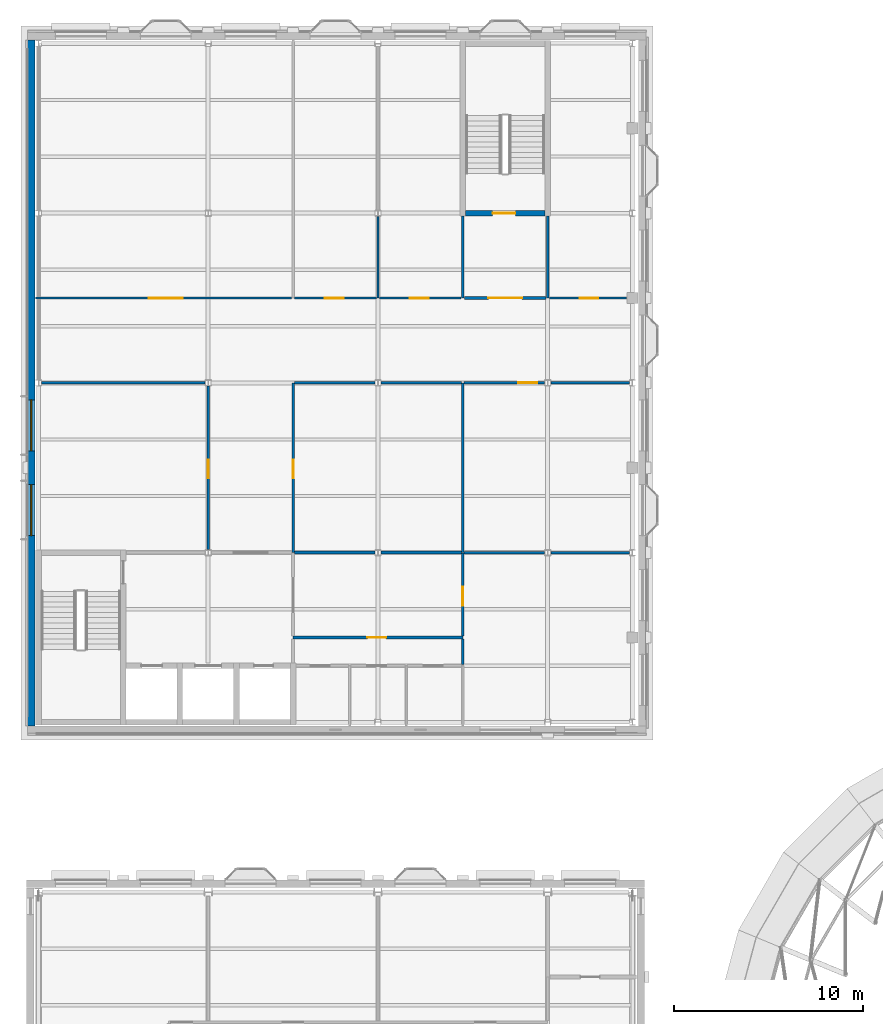
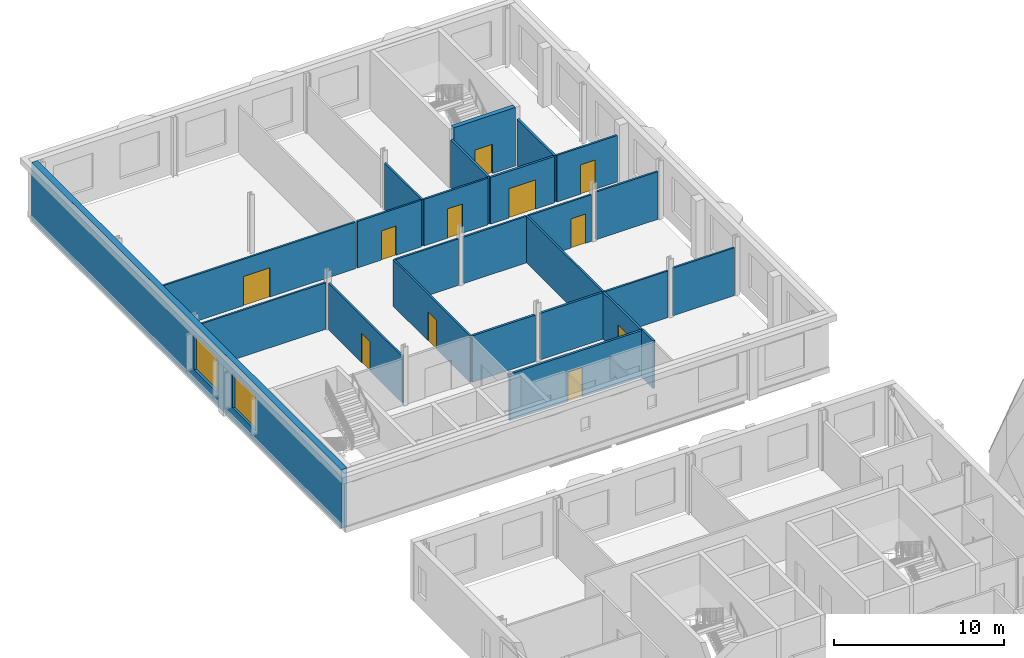
# One storey, part 36 of 62: 25 walls, 11 doors, 2 windows, 13 openings.
"""IFC4 building model written with IfcOpenShell, lengths in metres."""

import ifcopenshell
import ifcopenshell.guid

model = None  # the IFC model being written
_history = None  # IfcOwnerHistory: only IFC2X3 demands one
_inside = {}  # id of a spatial element -> (the spatial element, [elements in it])
_under = {}  # id of a project, library or spatial element -> (it, [spatial elements below it])
_declared = {}  # id of a project -> (the project, [libraries it declares])
_typed = {}  # id of a type object -> (the type object, [elements of that type])
_made_of = {}  # id of a material, layer set ... -> (it, [elements and type objects made of it])


def new_model(schema):
    """Start an empty IFC model of exactly this schema.

    Asked for "IFC4X3", IfcOpenShell would pick the latest addendum, in which some entities
    have other attributes; the version numbers below select the first issue.
    IFC2X3 requires an IfcOwnerHistory on every rooted entity: one is made here for all.
    """
    global model, _history
    if schema == "IFC4X3":
        model = ifcopenshell.file(schema_version=(4, 3, 0, 0))
    else:
        model = ifcopenshell.file(schema=schema)
    _inside.clear()
    _under.clear()
    _declared.clear()
    _typed.clear()
    _made_of.clear()
    _history = None
    if model.schema == "IFC2X3":
        org = make("IfcOrganization", Name="unknown")
        user = make(
            "IfcPersonAndOrganization",
            ThePerson=make("IfcPerson", FamilyName="unknown"),
            TheOrganization=org,
        )
        app = make(
            "IfcApplication",
            ApplicationDeveloper=org,
            Version="unknown",
            ApplicationFullName="unknown",
            ApplicationIdentifier="unknown",
        )
        _history = make(
            "IfcOwnerHistory",
            OwningUser=user,
            OwningApplication=app,
            ChangeAction="ADDED",
            CreationDate=0,
        )
    return model


def make(cls, **values):
    """One entity of the class cls with the attributes given. An attribute that is None is left unset."""
    return model.create_entity(
        cls, **{name: value for name, value in values.items() if value is not None}
    )


def rooted(cls, **values):
    """An entity with a GlobalId (a new one), such as an element, a storey or a relation."""
    return make(cls, GlobalId=ifcopenshell.guid.new(), OwnerHistory=_history, **values)


def si_unit(unit_type, name, prefix=None):
    """IfcSIUnit, for example si_unit("LENGTHUNIT", "METRE", prefix="MILLI")."""
    return make("IfcSIUnit", UnitType=unit_type, Prefix=prefix, Name=name)


def assignment(units):
    """IfcUnitAssignment: the units of a project."""
    return None if units is None else make("IfcUnitAssignment", Units=units)


def point(xyz):
    """IfcCartesianPoint."""
    return None if xyz is None else make("IfcCartesianPoint", Coordinates=xyz)


def direction(xyz):
    """IfcDirection."""
    return None if xyz is None else make("IfcDirection", DirectionRatios=xyz)


def frame(location, z_axis=None, x_axis=None):
    """IfcAxis2Placement3D, a coordinate frame: its origin and axes. An axis left out is left unset."""
    return make(
        "IfcAxis2Placement3D",
        Location=point(location),
        Axis=direction(z_axis),
        RefDirection=direction(x_axis),
    )


def frame_2d(location, x_axis=None):
    """IfcAxis2Placement2D, a coordinate frame in the plane: its origin and x axis."""
    return make(
        "IfcAxis2Placement2D", Location=point(location), RefDirection=direction(x_axis)
    )


def origin():
    """The frame at (0, 0, 0) with its axes left unset."""
    return frame((0.0, 0.0, 0.0))


def place(relative_to, where):
    """IfcLocalPlacement: puts the frame where relative to a parent placement (None: the world)."""
    return make(
        "IfcLocalPlacement", PlacementRelTo=relative_to, RelativePlacement=where
    )


def context(
    kind, dimensions, precision=None, world=None, true_north=None, identifier=None
):
    """IfcGeometricRepresentationContext, for example the 3D "Model" context."""
    return make(
        "IfcGeometricRepresentationContext",
        ContextIdentifier=identifier,
        ContextType=kind,
        CoordinateSpaceDimension=dimensions,
        Precision=precision,
        WorldCoordinateSystem=world,
        TrueNorth=true_north,
    )


def subcontext(parent, identifier, kind, view, scale=None):
    """IfcGeometricRepresentationSubContext, for example "Body" below "Model"."""
    return make(
        "IfcGeometricRepresentationSubContext",
        ContextIdentifier=identifier,
        ContextType=kind,
        ParentContext=parent,
        TargetScale=scale,
        TargetView=view,
    )


def project(units=None, contexts=None):
    """IfcProject with its units and contexts."""
    return rooted(
        "IfcProject",
        Name="project",
        RepresentationContexts=contexts,
        UnitsInContext=assignment(units),
    )


def spatial(cls, under=None, at=None, **own):
    """A site, building, storey or space (cls), placed at a placement, below another one or the project."""
    s = rooted(cls, ObjectPlacement=at, **own)
    if under is not None:
        _under.setdefault(under.id(), (under, []))[1].append(s)
    return s


def profile(cls, at=None, kind="AREA", **sizes):
    """A parametric profile (cls). Its sizes go by their IFC names, for example OverallWidth=200.0."""
    return make(cls, ProfileType=kind, Position=at, **sizes)


def rectangle(**sizes):
    """IfcRectangleProfileDef."""
    return profile("IfcRectangleProfileDef", **sizes)


def extrude(swept, where, along, depth):
    """IfcExtrudedAreaSolid: the profile swept, set in the frame where, extruded along a direction by depth."""
    return make(
        "IfcExtrudedAreaSolid",
        SweptArea=swept,
        Position=where,
        ExtrudedDirection=direction(along),
        Depth=depth,
    )


def shape(context_of_items, identifier, shape_type, items):
    """IfcShapeRepresentation: the items that make up one representation, for example the "Body"."""
    return make(
        "IfcShapeRepresentation",
        ContextOfItems=context_of_items,
        RepresentationIdentifier=identifier,
        RepresentationType=shape_type,
        Items=items,
    )


def material(Name=None, Category=None):
    """IfcMaterial."""
    return make("IfcMaterial", Name=Name, Category=Category)


def layer(
    of_material, thickness, ventilated=None, Name=None, Category=None, Priority=None
):
    """IfcMaterialLayer: one layer of a wall or slab, of a material (None: an air gap)."""
    return make(
        "IfcMaterialLayer",
        Material=of_material,
        LayerThickness=thickness,
        IsVentilated=ventilated,
        Name=Name,
        Category=Category,
        Priority=Priority,
    )


def layer_set(layers, Name=None):
    """IfcMaterialLayerSet."""
    return make("IfcMaterialLayerSet", MaterialLayers=layers, LayerSetName=Name)


def made_of(thing, what):
    """Note that an element or type object is made of a material, layer set ...; save() writes the relation."""
    if what is not None:
        _made_of.setdefault(what.id(), (what, []))[1].append(thing)
    return thing


def type_object(cls, material=None, **own):
    """A type object (cls), such as IfcWallType, which elements share."""
    return made_of(rooted(cls, **own), material)


def element(
    cls,
    number,
    at=None,
    inside=None,
    cuts=None,
    type_object=None,
    material=None,
    context=None,
    identifier="Body",
    shape_type=None,
    held_by="IfcProductDefinitionShape",
    body=None,
    shapes=None,
    **own,
):
    """One element of the class cls, such as IfcWall. Its Tag is "e" and its number.

    at: its placement. inside: the storey or other place that contains it. cuts: it is an
    opening in that element (IfcRelVoidsElement). A single representation is given by context,
    identifier, shape_type and body (its items); several are given by shapes. held_by: the class
    of the entity that holds the representations. save() writes the other relations.
    """
    e = rooted(cls, Tag="e%d" % number, ObjectPlacement=at, **own)
    if body is not None:
        shapes = [shape(context, identifier, shape_type, body)]
    if shapes is not None:
        e.Representation = make(held_by, Representations=shapes)
    if inside is not None:
        _inside.setdefault(inside.id(), (inside, []))[1].append(e)
    if cuts is not None:
        rooted(
            "IfcRelVoidsElement", RelatingBuildingElement=cuts, RelatedOpeningElement=e
        )
    if type_object is not None:
        _typed.setdefault(type_object.id(), (type_object, []))[1].append(e)
    return made_of(e, material)


def fill(opening, filler):
    """IfcRelFillsElement: the door or window that sits in an opening."""
    return rooted(
        "IfcRelFillsElement",
        RelatingOpeningElement=opening,
        RelatedBuildingElement=filler,
    )


def aggregate(whole, parts):
    """IfcRelAggregates: a whole, such as a stair, and the parts it consists of."""
    return rooted("IfcRelAggregates", RelatingObject=whole, RelatedObjects=parts)


def save(model, path):
    """Write the relations noted so far, then the file.

    IfcRelAggregates (storeys below a building ...), IfcRelContainedInSpatialStructure (elements
    in a storey), IfcRelDefinesByType, IfcRelAssociatesMaterial and IfcRelDeclares: one each for
    every whole, place, type object, material and project.
    """
    for whole, parts in _under.values():
        aggregate(whole, parts)
    for where, things in _inside.values():
        rooted(
            "IfcRelContainedInSpatialStructure",
            RelatedElements=things,
            RelatingStructure=where,
        )
    for kind, things in _typed.values():
        rooted("IfcRelDefinesByType", RelatedObjects=things, RelatingType=kind)
    for what, things in _made_of.values():
        rooted("IfcRelAssociatesMaterial", RelatedObjects=things, RelatingMaterial=what)
    for by, libraries in _declared.values():
        rooted("IfcRelDeclares", RelatingContext=by, RelatedDefinitions=libraries)
    model.write(path)


model = new_model("IFC4")

# Units and contexts
model_context = context("Model", 3, precision=1e-05, world=origin(), true_north=direction((0.0, 1.0)))
body_context = subcontext(model_context, "Body", "Model", "MODEL_VIEW")
ifc_project = project(units=[si_unit("LENGTHUNIT", "METRE"), si_unit("AREAUNIT", "SQUARE_METRE"), si_unit("VOLUMEUNIT", "CUBIC_METRE"), si_unit("PLANEANGLEUNIT", "RADIAN"), si_unit("MASSUNIT", "GRAM", prefix="KILO")], contexts=[model_context])

# Site, building, storey
site_placement = place(None, origin())
site = spatial("IfcSite", under=ifc_project, at=site_placement, CompositionType="ELEMENT")
building_placement = place(site_placement, origin())
building = spatial("IfcBuilding", under=site, at=building_placement, Name="Hortulan Conservatory and Botanical Research Centre", CompositionType="ELEMENT")
storey_placement = place(building_placement, frame((0.0, 0.0, 15.0)))
storey = spatial("IfcBuildingStorey", under=building, at=storey_placement, Name="L03", CompositionType="ELEMENT", Elevation=15.0)

# Wall, opening, door
ifc_material_1 = material(Name="Concrete N40 (40 MPa, AS 3600)", Category="concrete")
ifc_layer_1 = layer(ifc_material_1, 0.300048828125)
ifc_layer_set_1 = layer_set([ifc_layer_1], Name="Core Wall 300 N40 FRL 180/120/120")
wall_type_1 = type_object("IfcWallType", Name="Core Wall 300 N40 FRL 180/120/120", PredefinedType="SHEAR", material=ifc_layer_set_1)
wall_1_placement = place(storey_placement, frame((22.64990234375, 63.0, 0.0), z_axis=(0.0, 0.0, 1.0), x_axis=(1.0, 0.0, 0.0)))
wall_1 = element("IfcWall", 1, at=wall_1_placement, inside=storey, type_object=wall_type_1, Name="Reinforced concrete shaft wall", PredefinedType="SHEAR", context=body_context, shape_type="SweptSolid", body=[
    extrude(rectangle(XDim=4.2001953125, YDim=0.300048828125, at=frame_2d((2.10009765625, 0.0))), origin(), (0.0, 0.0, 1.0), 4.199951171875),
])
opening_1_placement = place(wall_1_placement, frame((1.436767578125, 0.0, 0.0)))
opening_1 = element("IfcOpeningElement", 2, at=opening_1_placement, cuts=wall_1, Name="Opening DT5", PredefinedType="OPENING", context=body_context, shape_type="SweptSolid", body=[
    extrude(rectangle(XDim=1.199951171875, YDim=2.10009765625, at=frame_2d((0.60009765625, 1.050048828125))), frame((0.0, 0.159912109375, 0.0), z_axis=(0.0, -1.0, 0.0), x_axis=(1.0, 0.0, 0.0)), (0.0, 0.0, 1.0), 0.320068359375),
])
ifc_material_2 = material(Name="Steel door leaf, insulated", Category="steel")
door_type_1 = type_object("IfcDoorType", Name="Stair Door 1200x2100 FRL -/120/30", OperationType="NOTDEFINED", PredefinedType="DOOR", material=ifc_material_2)
door_1_placement = place(opening_1_placement, origin())
door_1 = element("IfcDoor", 3, at=door_1_placement, inside=storey, type_object=door_type_1, Name="Door DT5 Exit Stair V2 to Stair Lobby V2", OperationType="SINGLE_SWING_LEFT", OverallHeight=2.10009765625, OverallWidth=1.199951171875, PredefinedType="DOOR", context=body_context, shape_type="SweptSolid", body=[
    extrude(rectangle(XDim=1.199951171875, YDim=2.10009765625, at=frame_2d((0.60009765625, 1.050048828125))), frame((0.0, 0.02490234375, 0.0), z_axis=(0.0, -1.0, 0.0), x_axis=(1.0, 0.0, 0.0)), (0.0, 0.0, 1.0), 0.050048828125),
])
fill(opening_1, door_1)

ifc_material_3 = material(Name="Plasterboard on steel studs", Category="steel")
ifc_layer_2 = layer(ifc_material_3, 0.14990234375)
ifc_layer_set_2 = layer_set([ifc_layer_2], Name="Corridor Partition 150")
wall_type_2 = type_object("IfcWallType", Name="Corridor Partition 150", PredefinedType="PARTITIONING", material=ifc_layer_set_2)
wall_2_placement = place(storey_placement, frame((22.5, 40.5849609375, 0.0), z_axis=(0.0, 0.0, 1.0), x_axis=(0.0, 1.0, 0.0)))
wall_2 = element("IfcWall", 4, at=wall_2_placement, inside=storey, type_object=wall_type_2, Name="Partition Community Foyer and Visitor Services Office 1 L03", PredefinedType="PARTITIONING", context=body_context, shape_type="SweptSolid", body=[
    extrude(rectangle(XDim=4.405029296875, YDim=0.14990234375, at=frame_2d((2.20263671875, 0.0))), origin(), (0.0, 0.0, 1.0), 3.337890625),
])
opening_2_placement = place(wall_2_placement, frame((1.60302734375, 0.0, 0.0)))
opening_2 = element("IfcOpeningElement", 5, at=opening_2_placement, cuts=wall_2, Name="Opening DT1", PredefinedType="OPENING", context=body_context, shape_type="SweptSolid", body=[
    extrude(rectangle(XDim=1.0, YDim=2.10009765625, at=frame_2d((0.5, 1.050048828125))), frame((0.0, 0.0849609375, 0.0), z_axis=(0.0, -1.0, 0.0), x_axis=(1.0, 0.0, 0.0)), (0.0, 0.0, 1.0), 0.169921875),
])
ifc_material_4 = material(Name="Timber door leaf in timber frame", Category="wood")
door_type_2 = type_object("IfcDoorType", Name="Single Door 1000x2100", OperationType="NOTDEFINED", PredefinedType="DOOR", material=ifc_material_4)
door_2_placement = place(opening_2_placement, frame((1.0, 0.0, 0.0), z_axis=(0.0, 0.0, 1.0), x_axis=(-1.0, 0.0, 0.0)))
door_2 = element("IfcDoor", 6, at=door_2_placement, inside=storey, type_object=door_type_2, Name="Door DT1 Visitor Services Office 1 to Community Foyer", OperationType="SINGLE_SWING_RIGHT", OverallHeight=2.10009765625, OverallWidth=1.0, PredefinedType="DOOR", context=body_context, shape_type="SweptSolid", body=[
    extrude(rectangle(XDim=1.0, YDim=2.10009765625, at=frame_2d((0.5, 1.050048828125))), frame((0.0, 0.02490234375, 0.0), z_axis=(0.0, -1.0, 0.0), x_axis=(1.0, 0.0, 0.0)), (0.0, 0.0, 1.0), 0.050048828125),
])
fill(opening_2, door_2)

# Walls
for number, where, z_axis, x_axis, name in (
    (7, (13.574951171875, 45.0, 0.0), (0.0, 0.0, 1.0), (1.0, 0.0, 0.0), "Partition Community Foyer and Community Room 2 L03"),
    (8, (18.16357421875, 45.0, 0.0), (0.0, 0.0, 1.0), (1.0, 0.0, 0.0), "Partition Community Foyer and Community Room 2 L03"),
):
    element("IfcWall", number, at=place(storey_placement, frame(where, z_axis=z_axis, x_axis=x_axis)), inside=storey, type_object=wall_type_2, Name=name, PredefinedType="PARTITIONING", context=body_context, shape_type="SweptSolid", body=[
        extrude(rectangle(XDim=4.261474609375, YDim=0.14990234375, at=frame_2d((2.130859375, 0.0))), origin(), (0.0, 0.0, 1.0), 3.337890625),
    ])

# Wall, openings, windows
ifc_material_5 = material(Name="Faience-faced brickwork masonry", Category="masonry")
ifc_layer_3 = layer(ifc_material_5, 0.39990234375)
ifc_layer_set_3 = layer_set([ifc_layer_3], Name="Faience-faced Masonry Cavity Wall 400")
wall_type_3 = type_object("IfcWallType", Name="Faience-faced Masonry Cavity Wall 400", PredefinedType="STANDARD", material=ifc_layer_set_3)
wall_3_placement = place(storey_placement, frame((-0.37939453125, 35.820556640625, 0.0), z_axis=(0.0, 0.0, 1.0), x_axis=(0.0, 1.0, 0.0)))
wall_3 = element("IfcWall", 9, at=wall_3_placement, inside=storey, type_object=wall_type_3, Name="E-EW-VC-L03-W2", PredefinedType="STANDARD", context=body_context, shape_type="SweptSolid", body=[
    extrude(rectangle(XDim=36.35888671875, YDim=0.39990234375, at=frame_2d((18.179443359375, 0.0))), origin(), (0.0, 0.0, 1.0), 4.199951171875),
])
opening_3_placement = place(wall_3_placement, frame((10.07958984375, 0.0, 0.89990234375)))
opening_3 = element("IfcOpeningElement", 10, at=opening_3_placement, cuts=wall_3, Name="Opening W4", PredefinedType="OPENING", context=body_context, shape_type="SweptSolid", body=[
    extrude(rectangle(XDim=2.699951171875, YDim=2.5, at=frame_2d((1.35009765625, 1.25))), frame((0.0, 0.2099609375, 0.0), z_axis=(0.0, -1.0, 0.0), x_axis=(1.0, 0.0, 0.0)), (0.0, 0.0, 1.0), 0.419921875),
])
opening_4_placement = place(wall_3_placement, frame((14.57958984375, 0.0, 0.89990234375)))
opening_4 = element("IfcOpeningElement", 11, at=opening_4_placement, cuts=wall_3, Name="Opening W4", PredefinedType="OPENING", context=body_context, shape_type="SweptSolid", body=[
    extrude(rectangle(XDim=2.699951171875, YDim=2.5, at=frame_2d((1.35009765625, 1.25))), frame((0.0, 0.2099609375, 0.0), z_axis=(0.0, -1.0, 0.0), x_axis=(1.0, 0.0, 0.0)), (0.0, 0.0, 1.0), 0.419921875),
])
ifc_material_6 = material(Name="Bronze-finished aluminium frame with low-e laminated double glazing", Category="aluminium")
window_type = type_object("IfcWindowType", Name="Faience Window 2700x2500", PartitioningType="SINGLE_PANEL", PredefinedType="WINDOW", material=ifc_material_6)
window_1_placement = place(opening_3_placement, origin())
window_1 = element("IfcWindow", 12, at=window_1_placement, inside=storey, type_object=window_type, Name="Faience window", OverallHeight=2.5, OverallWidth=2.699951171875, PartitioningType="SINGLE_PANEL", PredefinedType="WINDOW", context=body_context, shape_type="SweptSolid", body=[
    extrude(rectangle(XDim=2.699951171875, YDim=2.5, at=frame_2d((1.35009765625, 1.25))), frame((0.0, 0.030029296875, 0.0), z_axis=(0.0, -1.0, 0.0), x_axis=(1.0, 0.0, 0.0)), (0.0, 0.0, 1.0), 0.06005859375),
])
fill(opening_3, window_1)
window_2_placement = place(opening_4_placement, origin())
window_2 = element("IfcWindow", 13, at=window_2_placement, inside=storey, type_object=window_type, Name="Faience window", OverallHeight=2.5, OverallWidth=2.699951171875, PartitioningType="SINGLE_PANEL", PredefinedType="WINDOW", context=body_context, shape_type="SweptSolid", body=[
    extrude(rectangle(XDim=2.699951171875, YDim=2.5, at=frame_2d((1.35009765625, 1.25))), frame((0.0, 0.030029296875, 0.0), z_axis=(0.0, -1.0, 0.0), x_axis=(1.0, 0.0, 0.0)), (0.0, 0.0, 1.0), 0.06005859375),
])
fill(opening_4, window_2)

# Walls
ifc_material_7 = material(Name="Fire-rated plasterboard on steel studs", Category="steel")
ifc_layer_4 = layer(ifc_material_7, 0.14990234375)
ifc_layer_set_4 = layer_set([ifc_layer_4], Name="Lobby Partition 150")
wall_type_4 = type_object("IfcWallType", Name="Lobby Partition 150", PredefinedType="PARTITIONING", material=ifc_layer_set_4)
wall_4_placement = place(storey_placement, frame((22.5, 39.074951171875, 0.0), z_axis=(0.0, 0.0, 1.0), x_axis=(0.0, 1.0, 0.0)))
element("IfcWall", 14, at=wall_4_placement, inside=storey, type_object=wall_type_4, Name="Partition WC Lobby and Visitor Services Office 1 L03", PredefinedType="PARTITIONING", context=body_context, shape_type="SweptSolid", body=[
    extrude(rectangle(XDim=1.340087890625, YDim=0.14990234375, at=frame_2d((0.669921875, 0.0))), origin(), (0.0, 0.0, 1.0), 3.422119140625),
])
wall_5_placement = place(storey_placement, frame((22.5, 58.5, 0.0), z_axis=(0.0, 0.0, 1.0), x_axis=(0.0, 1.0, 0.0)))
element("IfcWall", 15, at=wall_5_placement, inside=storey, type_object=wall_type_4, Name="Partition Stair Lobby V2 and Visitor Services Office 3 L03", PredefinedType="PARTITIONING", context=body_context, shape_type="SweptSolid", body=[
    extrude(rectangle(XDim=4.340087890625, YDim=0.14990234375, at=frame_2d((2.169921875, 0.0))), origin(), (0.0, 0.0, 1.0), 3.422119140625),
])
wall_6_placement = place(storey_placement, frame((27.0, 58.5, 0.0), z_axis=(0.0, 0.0, 1.0), x_axis=(0.0, 1.0, 0.0)))
element("IfcWall", 16, at=wall_6_placement, inside=storey, type_object=wall_type_4, Name="Partition Stair Lobby V2 and Visitor Services Office 4 L03", PredefinedType="PARTITIONING", context=body_context, shape_type="SweptSolid", body=[
    extrude(rectangle(XDim=4.340087890625, YDim=0.14990234375, at=frame_2d((2.169921875, 0.0))), origin(), (0.0, 0.0, 1.0), 3.337890625),
])

# Wall, opening, door
wall_7_placement = place(storey_placement, frame((13.5, 40.5, 0.0), z_axis=(0.0, 0.0, 1.0), x_axis=(1.0, 0.0, 0.0)))
wall_7 = element("IfcWall", 17, at=wall_7_placement, inside=storey, type_object=wall_type_4, Name="Partition WC Lobby and Community Foyer L03", PredefinedType="PARTITIONING", context=body_context, shape_type="SweptSolid", body=[
    extrude(rectangle(XDim=9.0, YDim=0.14990234375, at=frame_2d((4.5, 0.0))), origin(), (0.0, 0.0, 1.0), 3.337890625),
])
opening_5_placement = place(wall_7_placement, frame((3.937744140625, 0.0, 0.0)))
opening_5 = element("IfcOpeningElement", 18, at=opening_5_placement, cuts=wall_7, Name="Opening DT4", PredefinedType="OPENING", context=body_context, shape_type="SweptSolid", body=[
    extrude(rectangle(XDim=1.0, YDim=2.10009765625, at=frame_2d((0.5, 1.050048828125))), frame((0.0, 0.0849609375, 0.0), z_axis=(0.0, -1.0, 0.0), x_axis=(1.0, 0.0, 0.0)), (0.0, 0.0, 1.0), 0.169921875),
])
door_type_3 = type_object("IfcDoorType", Name="Fire Door 1000x2100 FRL -/60/30", OperationType="NOTDEFINED", PredefinedType="DOOR", material=ifc_material_2)
door_3_placement = place(opening_5_placement, origin())
door_3 = element("IfcDoor", 19, at=door_3_placement, inside=storey, type_object=door_type_3, Name="Door DT4 WC Lobby to Community Foyer", OperationType="SINGLE_SWING_LEFT", OverallHeight=2.10009765625, OverallWidth=1.0, PredefinedType="DOOR", context=body_context, shape_type="SweptSolid", body=[
    extrude(rectangle(XDim=1.0, YDim=2.10009765625, at=frame_2d((0.5, 1.050048828125))), frame((0.0, 0.02490234375, 0.0), z_axis=(0.0, -1.0, 0.0), x_axis=(1.0, 0.0, 0.0)), (0.0, 0.0, 1.0), 0.050048828125),
])
fill(opening_5, door_3)

wall_8_placement = place(storey_placement, frame((22.5849609375, 58.5, 0.0), z_axis=(0.0, 0.0, 1.0), x_axis=(1.0, 0.0, 0.0)))
wall_8 = element("IfcWall", 20, at=wall_8_placement, inside=storey, type_object=wall_type_4, Name="Partition Corridor and Stair Lobby V2 L03", PredefinedType="PARTITIONING", context=body_context, shape_type="SweptSolid", body=[
    extrude(rectangle(XDim=4.330078125, YDim=0.14990234375, at=frame_2d((2.1650390625, 0.0))), origin(), (0.0, 0.0, 1.0), 3.337890625),
])
opening_6_placement = place(wall_8_placement, frame((1.264892578125, 0.0, 0.0)))
opening_6 = element("IfcOpeningElement", 21, at=opening_6_placement, cuts=wall_8, Name="Opening DT8", PredefinedType="OPENING", context=body_context, shape_type="SweptSolid", body=[
    extrude(rectangle(XDim=1.800048828125, YDim=2.10009765625, at=frame_2d((0.89990234375, 1.050048828125))), frame((0.0, 0.0849609375, 0.0), z_axis=(0.0, -1.0, 0.0), x_axis=(1.0, 0.0, 0.0)), (0.0, 0.0, 1.0), 0.169921875),
])
door_type_4 = type_object("IfcDoorType", Name="Lobby Double Door 1800x2100 FRL -/60/30", OperationType="DOUBLE_DOOR_SINGLE_SWING", PredefinedType="DOOR", material=ifc_material_2)
door_4_placement = place(opening_6_placement, frame((1.800048828125, 0.0, 0.0), z_axis=(0.0, 0.0, 1.0), x_axis=(-1.0, 0.0, 0.0)))
door_4 = element("IfcDoor", 22, at=door_4_placement, inside=storey, type_object=door_type_4, Name="Door DT8 Stair Lobby V2 to Corridor", OperationType="DOUBLE_DOOR_SINGLE_SWING", OverallHeight=2.10009765625, OverallWidth=1.800048828125, PredefinedType="DOOR", context=body_context, shape_type="SweptSolid", body=[
    extrude(rectangle(XDim=1.800048828125, YDim=2.10009765625, at=frame_2d((0.89990234375, 1.050048828125))), frame((0.0, 0.02490234375, 0.0), z_axis=(0.0, -1.0, 0.0), x_axis=(1.0, 0.0, 0.0)), (0.0, 0.0, 1.0), 0.050048828125),
])
fill(opening_6, door_4)

ifc_layer_5 = layer(ifc_material_3, 0.125)
ifc_layer_set_5 = layer_set([ifc_layer_5], Name="Partition 125")
wall_type_5 = type_object("IfcWallType", Name="Partition 125", PredefinedType="PARTITIONING", material=ifc_layer_set_5)
wall_9_placement = place(storey_placement, frame((9.0, 45.16748046875, 0.0), z_axis=(0.0, 0.0, 1.0), x_axis=(0.0, 1.0, 0.0)))
wall_9 = element("IfcWall", 23, at=wall_9_placement, inside=storey, type_object=wall_type_5, Name="Partition Corridor West and Community Room 1 L03", PredefinedType="PARTITIONING", context=body_context, shape_type="SweptSolid", body=[
    extrude(rectangle(XDim=8.6650390625, YDim=0.125, at=frame_2d((4.33251953125, 0.0))), origin(), (0.0, 0.0, 1.0), 3.337890625),
])
opening_7_placement = place(wall_9_placement, frame((3.770263671875, 0.0, 0.0)))
opening_7 = element("IfcOpeningElement", 24, at=opening_7_placement, cuts=wall_9, Name="Opening DT1", PredefinedType="OPENING", context=body_context, shape_type="SweptSolid", body=[
    extrude(rectangle(XDim=1.0, YDim=2.10009765625, at=frame_2d((0.5, 1.050048828125))), frame((0.0, 0.072509765625, 0.0), z_axis=(0.0, -1.0, 0.0), x_axis=(1.0, 0.0, 0.0)), (0.0, 0.0, 1.0), 0.14501953125),
])
door_5_placement = place(opening_7_placement, origin())
door_5 = element("IfcDoor", 25, at=door_5_placement, inside=storey, type_object=door_type_2, Name="Door DT1 Community Room 1 to Corridor West", OperationType="SINGLE_SWING_LEFT", OverallHeight=2.10009765625, OverallWidth=1.0, PredefinedType="DOOR", context=body_context, shape_type="SweptSolid", body=[
    extrude(rectangle(XDim=1.0, YDim=2.10009765625, at=frame_2d((0.5, 1.050048828125))), frame((0.0, 0.02490234375, 0.0), z_axis=(0.0, -1.0, 0.0), x_axis=(1.0, 0.0, 0.0)), (0.0, 0.0, 1.0), 0.050048828125),
])
fill(opening_7, door_5)

wall_10_placement = place(storey_placement, frame((13.5, 45.0, 0.0), z_axis=(0.0, 0.0, 1.0), x_axis=(0.0, 1.0, 0.0)))
wall_10 = element("IfcWall", 26, at=wall_10_placement, inside=storey, type_object=wall_type_5, Name="Partition Corridor West and Community Room 2 L03", PredefinedType="PARTITIONING", context=body_context, shape_type="SweptSolid", body=[
    extrude(rectangle(XDim=9.0, YDim=0.125, at=frame_2d((4.5, 0.0))), origin(), (0.0, 0.0, 1.0), 3.337890625),
])
opening_8_placement = place(wall_10_placement, frame((3.937744140625, 0.0, 0.0)))
opening_8 = element("IfcOpeningElement", 27, at=opening_8_placement, cuts=wall_10, Name="Opening DT1", PredefinedType="OPENING", context=body_context, shape_type="SweptSolid", body=[
    extrude(rectangle(XDim=1.0, YDim=2.10009765625, at=frame_2d((0.5, 1.050048828125))), frame((0.0, 0.072509765625, 0.0), z_axis=(0.0, -1.0, 0.0), x_axis=(1.0, 0.0, 0.0)), (0.0, 0.0, 1.0), 0.14501953125),
])
door_6_placement = place(opening_8_placement, frame((1.0, 0.0, 0.0), z_axis=(0.0, 0.0, 1.0), x_axis=(-1.0, 0.0, 0.0)))
door_6 = element("IfcDoor", 28, at=door_6_placement, inside=storey, type_object=door_type_2, Name="Door DT1 Community Room 2 to Corridor West", OperationType="SINGLE_SWING_RIGHT", OverallHeight=2.10009765625, OverallWidth=1.0, PredefinedType="DOOR", context=body_context, shape_type="SweptSolid", body=[
    extrude(rectangle(XDim=1.0, YDim=2.10009765625, at=frame_2d((0.5, 1.050048828125))), frame((0.0, 0.02490234375, 0.0), z_axis=(0.0, -1.0, 0.0), x_axis=(1.0, 0.0, 0.0)), (0.0, 0.0, 1.0), 0.050048828125),
])
fill(opening_8, door_6)

# Walls
wall_11_placement = place(storey_placement, frame((18.0, 58.5, 0.0), z_axis=(0.0, 0.0, 1.0), x_axis=(0.0, 1.0, 0.0)))
element("IfcWall", 29, at=wall_11_placement, inside=storey, type_object=wall_type_5, Name="Partition Visitor Services Office 2 and Visitor Services Office 3 L03", PredefinedType="PARTITIONING", context=body_context, shape_type="SweptSolid", body=[
    extrude(rectangle(XDim=4.33251953125, YDim=0.125, at=frame_2d((2.166259765625, 0.0))), origin(), (0.0, 0.0, 1.0), 3.337890625),
])
wall_12_placement = place(storey_placement, frame((22.5, 45.0, 0.0), z_axis=(0.0, 0.0, 1.0), x_axis=(0.0, 1.0, 0.0)))
element("IfcWall", 30, at=wall_12_placement, inside=storey, type_object=wall_type_5, Name="Partition Community Room 2 and Community Room 3 L03", PredefinedType="PARTITIONING", context=body_context, shape_type="SweptSolid", body=[
    extrude(rectangle(XDim=9.0, YDim=0.125, at=frame_2d((4.5, 0.0))), origin(), (0.0, 0.0, 1.0), 3.337890625),
])
wall_13_placement = place(storey_placement, frame((22.574951171875, 45.0, 0.0), z_axis=(0.0, 0.0, 1.0), x_axis=(1.0, 0.0, 0.0)))
element("IfcWall", 31, at=wall_13_placement, inside=storey, type_object=wall_type_5, Name="Partition Visitor Services Office 1 and Community Room 3 L03", PredefinedType="PARTITIONING", context=body_context, shape_type="SweptSolid", body=[
    extrude(rectangle(XDim=4.261474609375, YDim=0.125, at=frame_2d((2.130859375, 0.0))), origin(), (0.0, 0.0, 1.0), 3.337890625),
])
wall_14_placement = place(storey_placement, frame((27.16357421875, 45.0, 0.0), z_axis=(0.0, 0.0, 1.0), x_axis=(1.0, 0.0, 0.0)))
element("IfcWall", 32, at=wall_14_placement, inside=storey, type_object=wall_type_5, Name="Partition Visitor Services Office 1 and Community Room 3 L03", PredefinedType="PARTITIONING", context=body_context, shape_type="SweptSolid", body=[
    extrude(rectangle(XDim=4.1728515625, YDim=0.125, at=frame_2d((2.08642578125, 0.0))), origin(), (0.0, 0.0, 1.0), 3.422119140625),
])
wall_15_placement = place(storey_placement, frame((0.16357421875, 54.0, 0.0), z_axis=(0.0, 0.0, 1.0), x_axis=(1.0, 0.0, 0.0)))
element("IfcWall", 33, at=wall_15_placement, inside=storey, type_object=wall_type_5, Name="Partition Corridor and Community Room 1 L03", PredefinedType="PARTITIONING", context=body_context, shape_type="SweptSolid", body=[
    extrude(rectangle(XDim=8.6728515625, YDim=0.125, at=frame_2d((4.33642578125, 0.0))), origin(), (0.0, 0.0, 1.0), 3.337890625),
])
for number, where, z_axis, x_axis, name in (
    (34, (13.572509765625, 54.0, 0.0), (0.0, 0.0, 1.0), (1.0, 0.0, 0.0), "Partition Corridor and Community Room 2 L03"),
    (35, (18.16357421875, 54.0, 0.0), (0.0, 0.0, 1.0), (1.0, 0.0, 0.0), "Partition Corridor and Community Room 2 L03"),
):
    element("IfcWall", number, at=place(storey_placement, frame(where, z_axis=z_axis, x_axis=x_axis)), inside=storey, type_object=wall_type_5, Name=name, PredefinedType="PARTITIONING", context=body_context, shape_type="SweptSolid", body=[
        extrude(rectangle(XDim=4.263916015625, YDim=0.125, at=frame_2d((2.1318359375, 0.0))), origin(), (0.0, 0.0, 1.0), 3.337890625),
    ])

# Wall, opening, door
wall_16_placement = place(storey_placement, frame((22.572509765625, 54.0, 0.0), z_axis=(0.0, 0.0, 1.0), x_axis=(1.0, 0.0, 0.0)))
wall_16 = element("IfcWall", 36, at=wall_16_placement, inside=storey, type_object=wall_type_5, Name="Partition Corridor and Community Room 3 L03", PredefinedType="PARTITIONING", context=body_context, shape_type="SweptSolid", body=[
    extrude(rectangle(XDim=4.263916015625, YDim=0.125, at=frame_2d((2.1318359375, 0.0))), origin(), (0.0, 0.0, 1.0), 3.337890625),
])
opening_9_placement = place(wall_16_placement, frame((2.86865234375, 0.0, 0.0)))
opening_9 = element("IfcOpeningElement", 37, at=opening_9_placement, cuts=wall_16, Name="Opening DT1", PredefinedType="OPENING", context=body_context, shape_type="SweptSolid", body=[
    extrude(rectangle(XDim=1.0, YDim=2.10009765625, at=frame_2d((0.5, 1.050048828125))), frame((0.0, 0.072509765625, 0.0), z_axis=(0.0, -1.0, 0.0), x_axis=(1.0, 0.0, 0.0)), (0.0, 0.0, 1.0), 0.14501953125),
])
door_7_placement = place(opening_9_placement, frame((1.0, 0.0, 0.0), z_axis=(0.0, 0.0, 1.0), x_axis=(-1.0, 0.0, 0.0)))
door_7 = element("IfcDoor", 38, at=door_7_placement, inside=storey, type_object=door_type_2, Name="Door DT1 Community Room 3 to Corridor", OperationType="SINGLE_SWING_RIGHT", OverallHeight=2.10009765625, OverallWidth=1.0, PredefinedType="DOOR", context=body_context, shape_type="SweptSolid", body=[
    extrude(rectangle(XDim=1.0, YDim=2.10009765625, at=frame_2d((0.5, 1.050048828125))), frame((0.0, 0.02490234375, 0.0), z_axis=(0.0, -1.0, 0.0), x_axis=(1.0, 0.0, 0.0)), (0.0, 0.0, 1.0), 0.050048828125),
])
fill(opening_9, door_7)

# Wall
wall_17_placement = place(storey_placement, frame((27.16357421875, 54.0, 0.0), z_axis=(0.0, 0.0, 1.0), x_axis=(1.0, 0.0, 0.0)))
element("IfcWall", 39, at=wall_17_placement, inside=storey, type_object=wall_type_5, Name="Partition Corridor and Community Room 3 L03", PredefinedType="PARTITIONING", context=body_context, shape_type="SweptSolid", body=[
    extrude(rectangle(XDim=4.1728515625, YDim=0.125, at=frame_2d((2.08642578125, 0.0))), origin(), (0.0, 0.0, 1.0), 3.422119140625),
])

# Wall, opening, door
wall_18_placement = place(storey_placement, frame((-0.16943359375, 58.5, 0.0), z_axis=(0.0, 0.0, 1.0), x_axis=(1.0, 0.0, 0.0)))
wall_18 = element("IfcWall", 40, at=wall_18_placement, inside=storey, type_object=wall_type_5, Name="Partition Corridor and Learning Library L03", PredefinedType="PARTITIONING", context=body_context, shape_type="SweptSolid", body=[
    extrude(rectangle(XDim=13.596923828125, YDim=0.125, at=frame_2d((6.79833984375, 0.0))), origin(), (0.0, 0.0, 1.0), 3.337890625),
])
opening_10_placement = place(wall_18_placement, frame((6.01953125, 0.0, 0.0)))
opening_10 = element("IfcOpeningElement", 41, at=opening_10_placement, cuts=wall_18, Name="Opening DL1", PredefinedType="OPENING", context=body_context, shape_type="SweptSolid", body=[
    extrude(rectangle(XDim=1.800048828125, YDim=2.10009765625, at=frame_2d((0.89990234375, 1.050048828125))), frame((0.0, 0.072509765625, 0.0), z_axis=(0.0, -1.0, 0.0), x_axis=(1.0, 0.0, 0.0)), (0.0, 0.0, 1.0), 0.14501953125),
])
ifc_material_8 = material(Name="Glazed aluminium door leaves in aluminium frame", Category="aluminium")
door_type_5 = type_object("IfcDoorType", Name="Glazed Double Door 1800 x 2100", OperationType="DOUBLE_DOOR_SINGLE_SWING", PredefinedType="DOOR", material=ifc_material_8)
door_8_placement = place(opening_10_placement, origin())
door_8 = element("IfcDoor", 42, at=door_8_placement, inside=storey, type_object=door_type_5, Name="Door DL1 Learning Library to Corridor", OperationType="DOUBLE_DOOR_SINGLE_SWING", OverallHeight=2.10009765625, OverallWidth=1.800048828125, PredefinedType="DOOR", context=body_context, shape_type="SweptSolid", body=[
    extrude(rectangle(XDim=1.800048828125, YDim=2.10009765625, at=frame_2d((0.89990234375, 1.050048828125))), frame((0.0, 0.02490234375, 0.0), z_axis=(0.0, -1.0, 0.0), x_axis=(1.0, 0.0, 0.0)), (0.0, 0.0, 1.0), 0.050048828125),
])
fill(opening_10, door_8)

wall_19_placement = place(storey_placement, frame((13.572509765625, 58.5, 0.0), z_axis=(0.0, 0.0, 1.0), x_axis=(1.0, 0.0, 0.0)))
wall_19 = element("IfcWall", 43, at=wall_19_placement, inside=storey, type_object=wall_type_5, Name="Partition Corridor and Visitor Services Office 2 L03", PredefinedType="PARTITIONING", context=body_context, shape_type="SweptSolid", body=[
    extrude(rectangle(XDim=4.35498046875, YDim=0.125, at=frame_2d((2.177490234375, 0.0))), origin(), (0.0, 0.0, 1.0), 3.337890625),
])
opening_11_placement = place(wall_19_placement, frame((1.615478515625, 0.0, 0.0)))
opening_11 = element("IfcOpeningElement", 44, at=opening_11_placement, cuts=wall_19, Name="Opening DT1", PredefinedType="OPENING", context=body_context, shape_type="SweptSolid", body=[
    extrude(rectangle(XDim=1.0, YDim=2.10009765625, at=frame_2d((0.5, 1.050048828125))), frame((0.0, 0.072509765625, 0.0), z_axis=(0.0, -1.0, 0.0), x_axis=(1.0, 0.0, 0.0)), (0.0, 0.0, 1.0), 0.14501953125),
])
door_9_placement = place(opening_11_placement, origin())
door_9 = element("IfcDoor", 45, at=door_9_placement, inside=storey, type_object=door_type_2, Name="Door DT1 Visitor Services Office 2 to Corridor", OperationType="SINGLE_SWING_LEFT", OverallHeight=2.10009765625, OverallWidth=1.0, PredefinedType="DOOR", context=body_context, shape_type="SweptSolid", body=[
    extrude(rectangle(XDim=1.0, YDim=2.10009765625, at=frame_2d((0.5, 1.050048828125))), frame((0.0, 0.02490234375, 0.0), z_axis=(0.0, -1.0, 0.0), x_axis=(1.0, 0.0, 0.0)), (0.0, 0.0, 1.0), 0.050048828125),
])
fill(opening_11, door_9)

wall_20_placement = place(storey_placement, frame((18.072509765625, 58.5, 0.0), z_axis=(0.0, 0.0, 1.0), x_axis=(1.0, 0.0, 0.0)))
wall_20 = element("IfcWall", 46, at=wall_20_placement, inside=storey, type_object=wall_type_5, Name="Partition Corridor and Visitor Services Office 3 L03", PredefinedType="PARTITIONING", context=body_context, shape_type="SweptSolid", body=[
    extrude(rectangle(XDim=4.342529296875, YDim=0.125, at=frame_2d((2.17138671875, 0.0))), origin(), (0.0, 0.0, 1.0), 3.337890625),
])
opening_12_placement = place(wall_20_placement, frame((1.615478515625, 0.0, 0.0)))
opening_12 = element("IfcOpeningElement", 47, at=opening_12_placement, cuts=wall_20, Name="Opening DT1", PredefinedType="OPENING", context=body_context, shape_type="SweptSolid", body=[
    extrude(rectangle(XDim=1.0, YDim=2.10009765625, at=frame_2d((0.5, 1.050048828125))), frame((0.0, 0.072509765625, 0.0), z_axis=(0.0, -1.0, 0.0), x_axis=(1.0, 0.0, 0.0)), (0.0, 0.0, 1.0), 0.14501953125),
])
door_10_placement = place(opening_12_placement, origin())
door_10 = element("IfcDoor", 48, at=door_10_placement, inside=storey, type_object=door_type_2, Name="Door DT1 Visitor Services Office 3 to Corridor", OperationType="SINGLE_SWING_LEFT", OverallHeight=2.10009765625, OverallWidth=1.0, PredefinedType="DOOR", context=body_context, shape_type="SweptSolid", body=[
    extrude(rectangle(XDim=1.0, YDim=2.10009765625, at=frame_2d((0.5, 1.050048828125))), frame((0.0, 0.02490234375, 0.0), z_axis=(0.0, -1.0, 0.0), x_axis=(1.0, 0.0, 0.0)), (0.0, 0.0, 1.0), 0.050048828125),
])
fill(opening_12, door_10)

wall_21_placement = place(storey_placement, frame((27.0849609375, 58.5, 0.0), z_axis=(0.0, 0.0, 1.0), x_axis=(1.0, 0.0, 0.0)))
wall_21 = element("IfcWall", 49, at=wall_21_placement, inside=storey, type_object=wall_type_5, Name="Partition Corridor and Visitor Services Office 4 L03", PredefinedType="PARTITIONING", context=body_context, shape_type="SweptSolid", body=[
    extrude(rectangle(XDim=4.10498046875, YDim=0.125, at=frame_2d((2.052490234375, 0.0))), origin(), (0.0, 0.0, 1.0), 3.337890625),
])
opening_13_placement = place(wall_21_placement, frame((1.60302734375, 0.0, 0.0)))
opening_13 = element("IfcOpeningElement", 50, at=opening_13_placement, cuts=wall_21, Name="Opening DT1", PredefinedType="OPENING", context=body_context, shape_type="SweptSolid", body=[
    extrude(rectangle(XDim=1.0, YDim=2.10009765625, at=frame_2d((0.5, 1.050048828125))), frame((0.0, 0.072509765625, 0.0), z_axis=(0.0, -1.0, 0.0), x_axis=(1.0, 0.0, 0.0)), (0.0, 0.0, 1.0), 0.14501953125),
])
door_11_placement = place(opening_13_placement, origin())
door_11 = element("IfcDoor", 51, at=door_11_placement, inside=storey, type_object=door_type_2, Name="Door DT1 Visitor Services Office 4 to Corridor", OperationType="SINGLE_SWING_LEFT", OverallHeight=2.10009765625, OverallWidth=1.0, PredefinedType="DOOR", context=body_context, shape_type="SweptSolid", body=[
    extrude(rectangle(XDim=1.0, YDim=2.10009765625, at=frame_2d((0.5, 1.050048828125))), frame((0.0, 0.02490234375, 0.0), z_axis=(0.0, -1.0, 0.0), x_axis=(1.0, 0.0, 0.0)), (0.0, 0.0, 1.0), 0.050048828125),
])
fill(opening_13, door_11)

save(model, "model.ifc")
